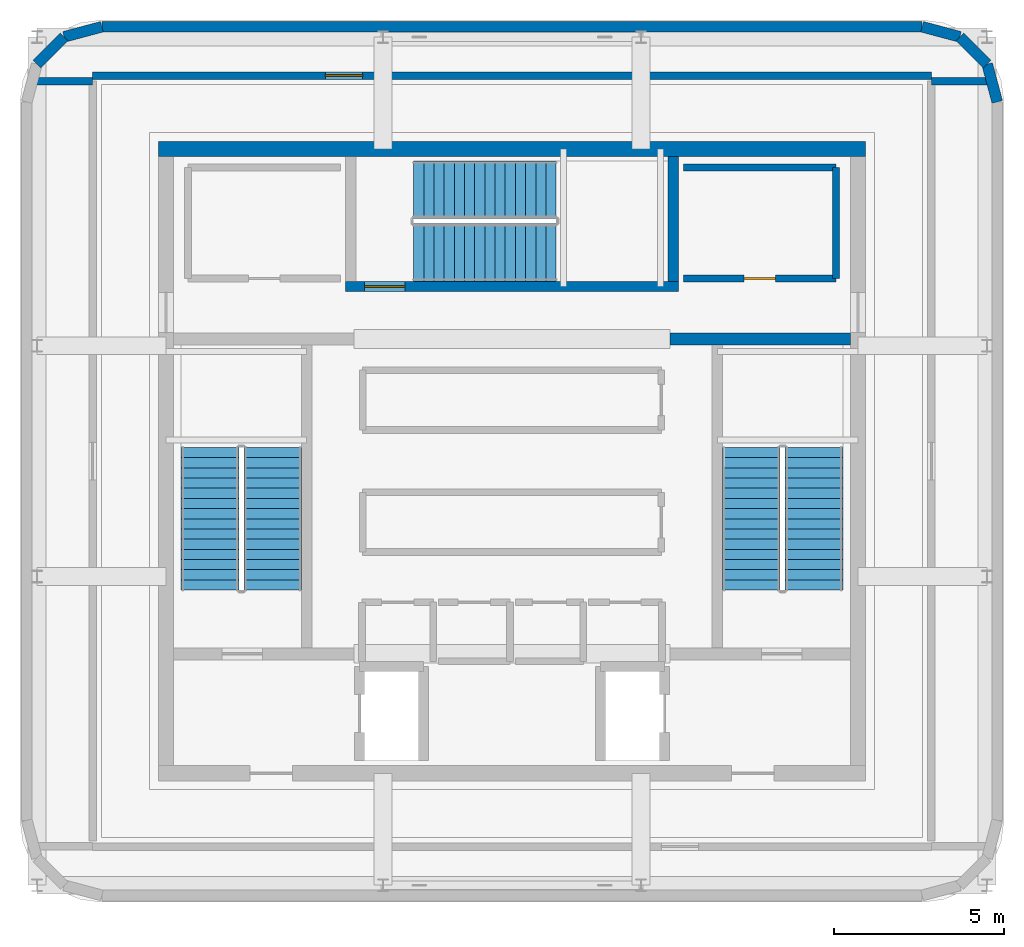
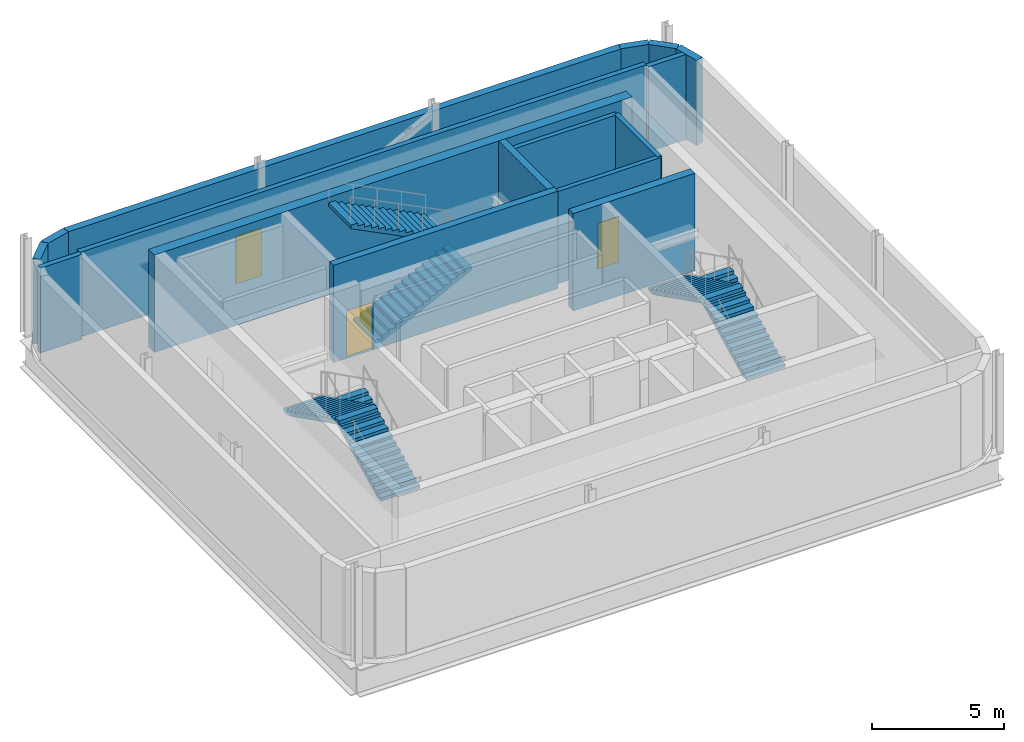
# One storey, part 3 of 4: 16 walls, 6 stair flights, 3 doors, 3 openings, 3 elements without a shape of their own.
"""IFC4 building model written with IfcOpenShell, lengths in metres."""

import ifcopenshell
import ifcopenshell.guid

model = None  # the IFC model being written
_history = None  # IfcOwnerHistory: only IFC2X3 demands one
_inside = {}  # id of a spatial element -> (the spatial element, [elements in it])
_under = {}  # id of a project, library or spatial element -> (it, [spatial elements below it])
_declared = {}  # id of a project -> (the project, [libraries it declares])
_typed = {}  # id of a type object -> (the type object, [elements of that type])
_made_of = {}  # id of a material, layer set ... -> (it, [elements and type objects made of it])


def new_model(schema):
    """Start an empty IFC model of exactly this schema.

    Asked for "IFC4X3", IfcOpenShell would pick the latest addendum, in which some entities
    have other attributes; the version numbers below select the first issue.
    IFC2X3 requires an IfcOwnerHistory on every rooted entity: one is made here for all.
    """
    global model, _history
    if schema == "IFC4X3":
        model = ifcopenshell.file(schema_version=(4, 3, 0, 0))
    else:
        model = ifcopenshell.file(schema=schema)
    _inside.clear()
    _under.clear()
    _declared.clear()
    _typed.clear()
    _made_of.clear()
    _history = None
    if model.schema == "IFC2X3":
        org = make("IfcOrganization", Name="unknown")
        user = make(
            "IfcPersonAndOrganization",
            ThePerson=make("IfcPerson", FamilyName="unknown"),
            TheOrganization=org,
        )
        app = make(
            "IfcApplication",
            ApplicationDeveloper=org,
            Version="unknown",
            ApplicationFullName="unknown",
            ApplicationIdentifier="unknown",
        )
        _history = make(
            "IfcOwnerHistory",
            OwningUser=user,
            OwningApplication=app,
            ChangeAction="ADDED",
            CreationDate=0,
        )
    return model


def make(cls, **values):
    """One entity of the class cls with the attributes given. An attribute that is None is left unset."""
    return model.create_entity(
        cls, **{name: value for name, value in values.items() if value is not None}
    )


def rooted(cls, **values):
    """An entity with a GlobalId (a new one), such as an element, a storey or a relation."""
    return make(cls, GlobalId=ifcopenshell.guid.new(), OwnerHistory=_history, **values)


def si_unit(unit_type, name, prefix=None):
    """IfcSIUnit, for example si_unit("LENGTHUNIT", "METRE", prefix="MILLI")."""
    return make("IfcSIUnit", UnitType=unit_type, Prefix=prefix, Name=name)


def assignment(units):
    """IfcUnitAssignment: the units of a project."""
    return None if units is None else make("IfcUnitAssignment", Units=units)


def point(xyz):
    """IfcCartesianPoint."""
    return None if xyz is None else make("IfcCartesianPoint", Coordinates=xyz)


def direction(xyz):
    """IfcDirection."""
    return None if xyz is None else make("IfcDirection", DirectionRatios=xyz)


def frame(location, z_axis=None, x_axis=None):
    """IfcAxis2Placement3D, a coordinate frame: its origin and axes. An axis left out is left unset."""
    return make(
        "IfcAxis2Placement3D",
        Location=point(location),
        Axis=direction(z_axis),
        RefDirection=direction(x_axis),
    )


def frame_2d(location, x_axis=None):
    """IfcAxis2Placement2D, a coordinate frame in the plane: its origin and x axis."""
    return make(
        "IfcAxis2Placement2D", Location=point(location), RefDirection=direction(x_axis)
    )


def origin():
    """The frame at (0, 0, 0) with its axes left unset."""
    return frame((0.0, 0.0, 0.0))


def place(relative_to, where):
    """IfcLocalPlacement: puts the frame where relative to a parent placement (None: the world)."""
    return make(
        "IfcLocalPlacement", PlacementRelTo=relative_to, RelativePlacement=where
    )


def context(
    kind, dimensions, precision=None, world=None, true_north=None, identifier=None
):
    """IfcGeometricRepresentationContext, for example the 3D "Model" context."""
    return make(
        "IfcGeometricRepresentationContext",
        ContextIdentifier=identifier,
        ContextType=kind,
        CoordinateSpaceDimension=dimensions,
        Precision=precision,
        WorldCoordinateSystem=world,
        TrueNorth=true_north,
    )


def subcontext(parent, identifier, kind, view, scale=None):
    """IfcGeometricRepresentationSubContext, for example "Body" below "Model"."""
    return make(
        "IfcGeometricRepresentationSubContext",
        ContextIdentifier=identifier,
        ContextType=kind,
        ParentContext=parent,
        TargetScale=scale,
        TargetView=view,
    )


def project(units=None, contexts=None):
    """IfcProject with its units and contexts."""
    return rooted(
        "IfcProject",
        Name="project",
        RepresentationContexts=contexts,
        UnitsInContext=assignment(units),
    )


def spatial(cls, under=None, at=None, **own):
    """A site, building, storey or space (cls), placed at a placement, below another one or the project."""
    s = rooted(cls, ObjectPlacement=at, **own)
    if under is not None:
        _under.setdefault(under.id(), (under, []))[1].append(s)
    return s


def polyline(points):
    """IfcPolyline through the points."""
    return make("IfcPolyline", Points=[point(p) for p in points])


def profile(cls, at=None, kind="AREA", **sizes):
    """A parametric profile (cls). Its sizes go by their IFC names, for example OverallWidth=200.0."""
    return make(cls, ProfileType=kind, Position=at, **sizes)


def rectangle(**sizes):
    """IfcRectangleProfileDef."""
    return profile("IfcRectangleProfileDef", **sizes)


def outline(outer, holes=None, kind="AREA"):
    """IfcArbitraryClosedProfileDef: a profile drawn as a closed curve; with holes, ...WithVoids."""
    if holes is None:
        return make("IfcArbitraryClosedProfileDef", ProfileType=kind, OuterCurve=outer)
    return make(
        "IfcArbitraryProfileDefWithVoids",
        ProfileType=kind,
        OuterCurve=outer,
        InnerCurves=holes,
    )


def extrude(swept, where, along, depth):
    """IfcExtrudedAreaSolid: the profile swept, set in the frame where, extruded along a direction by depth."""
    return make(
        "IfcExtrudedAreaSolid",
        SweptArea=swept,
        Position=where,
        ExtrudedDirection=direction(along),
        Depth=depth,
    )


def shape(context_of_items, identifier, shape_type, items):
    """IfcShapeRepresentation: the items that make up one representation, for example the "Body"."""
    return make(
        "IfcShapeRepresentation",
        ContextOfItems=context_of_items,
        RepresentationIdentifier=identifier,
        RepresentationType=shape_type,
        Items=items,
    )


def material(Name=None, Category=None):
    """IfcMaterial."""
    return make("IfcMaterial", Name=Name, Category=Category)


def layer(
    of_material, thickness, ventilated=None, Name=None, Category=None, Priority=None
):
    """IfcMaterialLayer: one layer of a wall or slab, of a material (None: an air gap)."""
    return make(
        "IfcMaterialLayer",
        Material=of_material,
        LayerThickness=thickness,
        IsVentilated=ventilated,
        Name=Name,
        Category=Category,
        Priority=Priority,
    )


def layer_set(layers, Name=None):
    """IfcMaterialLayerSet."""
    return make("IfcMaterialLayerSet", MaterialLayers=layers, LayerSetName=Name)


def made_of(thing, what):
    """Note that an element or type object is made of a material, layer set ...; save() writes the relation."""
    if what is not None:
        _made_of.setdefault(what.id(), (what, []))[1].append(thing)
    return thing


def type_object(cls, material=None, **own):
    """A type object (cls), such as IfcWallType, which elements share."""
    return made_of(rooted(cls, **own), material)


def element(
    cls,
    number,
    at=None,
    inside=None,
    cuts=None,
    type_object=None,
    material=None,
    context=None,
    identifier="Body",
    shape_type=None,
    held_by="IfcProductDefinitionShape",
    body=None,
    shapes=None,
    **own,
):
    """One element of the class cls, such as IfcWall. Its Tag is "e" and its number.

    at: its placement. inside: the storey or other place that contains it. cuts: it is an
    opening in that element (IfcRelVoidsElement). A single representation is given by context,
    identifier, shape_type and body (its items); several are given by shapes. held_by: the class
    of the entity that holds the representations. save() writes the other relations.
    """
    e = rooted(cls, Tag="e%d" % number, ObjectPlacement=at, **own)
    if body is not None:
        shapes = [shape(context, identifier, shape_type, body)]
    if shapes is not None:
        e.Representation = make(held_by, Representations=shapes)
    if inside is not None:
        _inside.setdefault(inside.id(), (inside, []))[1].append(e)
    if cuts is not None:
        rooted(
            "IfcRelVoidsElement", RelatingBuildingElement=cuts, RelatedOpeningElement=e
        )
    if type_object is not None:
        _typed.setdefault(type_object.id(), (type_object, []))[1].append(e)
    return made_of(e, material)


def fill(opening, filler):
    """IfcRelFillsElement: the door or window that sits in an opening."""
    return rooted(
        "IfcRelFillsElement",
        RelatingOpeningElement=opening,
        RelatedBuildingElement=filler,
    )


def aggregate(whole, parts):
    """IfcRelAggregates: a whole, such as a stair, and the parts it consists of."""
    return rooted("IfcRelAggregates", RelatingObject=whole, RelatedObjects=parts)


def save(model, path):
    """Write the relations noted so far, then the file.

    IfcRelAggregates (storeys below a building ...), IfcRelContainedInSpatialStructure (elements
    in a storey), IfcRelDefinesByType, IfcRelAssociatesMaterial and IfcRelDeclares: one each for
    every whole, place, type object, material and project.
    """
    for whole, parts in _under.values():
        aggregate(whole, parts)
    for where, things in _inside.values():
        rooted(
            "IfcRelContainedInSpatialStructure",
            RelatedElements=things,
            RelatingStructure=where,
        )
    for kind, things in _typed.values():
        rooted("IfcRelDefinesByType", RelatedObjects=things, RelatingType=kind)
    for what, things in _made_of.values():
        rooted("IfcRelAssociatesMaterial", RelatedObjects=things, RelatingMaterial=what)
    for by, libraries in _declared.values():
        rooted("IfcRelDeclares", RelatingContext=by, RelatedDefinitions=libraries)
    model.write(path)


model = new_model("IFC4")

# Units and contexts
model_context = context("Model", 3, precision=1e-05, world=origin(), true_north=direction((0.0, 1.0)))
body_context = subcontext(model_context, "Body", "Model", "MODEL_VIEW")
ifc_project = project(units=[si_unit("LENGTHUNIT", "METRE"), si_unit("AREAUNIT", "SQUARE_METRE"), si_unit("VOLUMEUNIT", "CUBIC_METRE"), si_unit("PLANEANGLEUNIT", "RADIAN"), si_unit("MASSUNIT", "GRAM", prefix="KILO")], contexts=[model_context])

# Site, building, storey
site_placement = place(None, origin())
site = spatial("IfcSite", under=ifc_project, at=site_placement, CompositionType="ELEMENT")
building_placement = place(site_placement, origin())
building = spatial("IfcBuilding", under=site, at=building_placement, Name="Punatoya Terracotta Tower", CompositionType="ELEMENT")
storey_placement = place(building_placement, frame((0.0, 0.0, 366.300048828125)))
storey = spatial("IfcBuildingStorey", under=building, at=storey_placement, Name="L86", CompositionType="ELEMENT", Elevation=366.300048828125)

# Walls
ifc_material_1 = material(Name="Concrete C50/60", Category="concrete")
ifc_layer_1 = layer(ifc_material_1, 0.449951171875)
ifc_layer_set_1 = layer_set([ifc_layer_1], Name="Concrete C50/60")
wall_type_1 = type_object("IfcWallType", Name="WL-COR-450", PredefinedType="SHEAR", material=ifc_layer_set_1)
wall_1_placement = place(storey_placement, frame((-10.425048828125, 9.199951171875, 0.0), z_axis=(0.0, 0.0, 1.0), x_axis=(1.0, 0.0, 0.0)))
element("IfcWall", 1, at=wall_1_placement, inside=storey, type_object=wall_type_1, Name="L86 Core Shear Wall N", PredefinedType="SHEAR", context=body_context, shape_type="SweptSolid", body=[
    extrude(rectangle(XDim=20.85009765625, YDim=0.449951171875, at=frame_2d((10.425048828125, 0.0))), origin(), (0.0, 0.0, 1.0), 4.5),
])
ifc_material_2 = material(Name="Precast concrete C40/50", Category="concrete")
ifc_layer_2 = layer(ifc_material_2, 0.320068359375)
ifc_layer_set_2 = layer_set([ifc_layer_2], Name="Precast concrete C40/50")
wall_type_2 = type_object("IfcWallType", Name="WL-EXT-320", PredefinedType="SOLIDWALL", material=ifc_layer_set_2)
wall_2_placement = place(storey_placement, frame((14.300048828125, 10.5869140625, 0.0), z_axis=(0.0, 0.0, 1.0), x_axis=(-0.25727979053, 0.966336954372, 0.0)))
element("IfcWall", 2, at=wall_2_placement, inside=storey, type_object=wall_type_2, Name="L86 Rounded Terracotta Corner Pier 06", PredefinedType="SOLIDWALL", context=body_context, shape_type="SweptSolid", body=[
    extrude(rectangle(XDim=1.151123046875, YDim=0.320068359375, at=frame_2d((0.57568359375, 0.0))), origin(), (0.0, 0.0, 1.0), 3.924072265625),
])
wall_3_placement = place(storey_placement, frame((14.00390625, 11.69921875, 0.0), z_axis=(0.0, 0.0, 1.0), x_axis=(-0.707106781187, 0.707106781187, 0.0)))
element("IfcWall", 3, at=wall_3_placement, inside=storey, type_object=wall_type_2, Name="L86 Rounded Terracotta Corner Pier 07", PredefinedType="SOLIDWALL", context=body_context, shape_type="SweptSolid", body=[
    extrude(rectangle(XDim=1.137939453125, YDim=0.320068359375, at=frame_2d((0.56884765625, 0.0))), origin(), (0.0, 0.0, 1.0), 3.924072265625),
])
wall_4_placement = place(storey_placement, frame((13.19921875, 12.50390625, 0.0), z_axis=(0.0, 0.0, 1.0), x_axis=(-0.966336954372, 0.25727979053, 0.0)))
element("IfcWall", 4, at=wall_4_placement, inside=storey, type_object=wall_type_2, Name="L86 Rounded Terracotta Corner Pier 08", PredefinedType="SOLIDWALL", context=body_context, shape_type="SweptSolid", body=[
    extrude(rectangle(XDim=1.151123046875, YDim=0.320068359375, at=frame_2d((0.57568359375, 0.0))), origin(), (0.0, 0.0, 1.0), 3.924072265625),
])
wall_5_placement = place(storey_placement, frame((12.0869140625, 12.800048828125, 0.0), z_axis=(0.0, 0.0, 1.0), x_axis=(-1.0, 0.0, 0.0)))
element("IfcWall", 5, at=wall_5_placement, inside=storey, type_object=wall_type_2, Name="L86 Terracotta Louvre Plant Enclosure N", PredefinedType="SOLIDWALL", context=body_context, shape_type="SweptSolid", body=[
    extrude(rectangle(XDim=24.173828125, YDim=0.320068359375, at=frame_2d((12.0869140625, 0.0))), origin(), (0.0, 0.0, 1.0), 3.924072265625),
])
wall_6_placement = place(storey_placement, frame((-12.0869140625, 12.800048828125, 0.0), z_axis=(0.0, 0.0, 1.0), x_axis=(-0.966336954372, -0.25727979053, 0.0)))
element("IfcWall", 6, at=wall_6_placement, inside=storey, type_object=wall_type_2, Name="L86 Rounded Terracotta Corner Pier 10", PredefinedType="SOLIDWALL", context=body_context, shape_type="SweptSolid", body=[
    extrude(rectangle(XDim=1.151123046875, YDim=0.320068359375, at=frame_2d((0.57568359375, 0.0))), origin(), (0.0, 0.0, 1.0), 3.924072265625),
])
wall_7_placement = place(storey_placement, frame((-13.19921875, 12.50390625, 0.0), z_axis=(0.0, 0.0, 1.0), x_axis=(-0.707106781187, -0.707106781187, 0.0)))
element("IfcWall", 7, at=wall_7_placement, inside=storey, type_object=wall_type_2, Name="L86 Rounded Terracotta Corner Pier 11", PredefinedType="SOLIDWALL", context=body_context, shape_type="SweptSolid", body=[
    extrude(rectangle(XDim=1.137939453125, YDim=0.320068359375, at=frame_2d((0.56884765625, 0.0))), origin(), (0.0, 0.0, 1.0), 3.924072265625),
])
ifc_material_3 = material(Name="Concrete C40/50", Category="concrete")
ifc_layer_3 = layer(ifc_material_3, 0.219970703125)
ifc_layer_set_3 = layer_set([ifc_layer_3], Name="Concrete C40/50")
wall_type_3 = type_object("IfcWallType", Name="WL-FIR-220", PredefinedType="SOLIDWALL", material=ifc_layer_set_3)
for number, where, z_axis, x_axis, name in (
    (8, (-14.18896484375, 11.199951171875, 0.0), (0.0, 0.0, 1.0), (1.0, 0.0, 0.0), "L86 Crown West Smoke-Extract and Fan Plant Room Partition 29"),
    (9, (12.360107421875, 11.199951171875, 0.0), (0.0, 0.0, 1.0), (1.0, 0.0, 0.0), "L86 Crown East Lift Machine and BMS Control Plant Partition 32"),
):
    element("IfcWall", number, at=place(storey_placement, frame(where, z_axis=z_axis, x_axis=x_axis)), inside=storey, type_object=wall_type_3, Name=name, PredefinedType="SOLIDWALL", context=body_context, shape_type="SweptSolid", body=[
        extrude(rectangle(XDim=1.828857421875, YDim=0.219970703125, at=frame_2d((0.91455078125, 0.0))), origin(), (0.0, 0.0, 1.0), 3.924072265625),
    ])

# Wall, opening, door
wall_8_placement = place(storey_placement, frame((12.360107421875, 11.360107421875, 0.0), z_axis=(0.0, 0.0, 1.0), x_axis=(-1.0, 0.0, 0.0)))
wall_8 = element("IfcWall", 10, at=wall_8_placement, inside=storey, type_object=wall_type_3, Name="L86 Crown North Standby Power and Booster Pump Plant Partition 33", PredefinedType="SOLIDWALL", context=body_context, shape_type="SweptSolid", body=[
    extrude(rectangle(XDim=24.72021484375, YDim=0.219970703125, at=frame_2d((12.360107421875, 0.0))), origin(), (0.0, 0.0, 1.0), 3.924072265625),
])
opening_1_placement = place(wall_8_placement, frame((16.760009765625, 0.0, 0.0)))
opening_1 = element("IfcOpeningElement", 11, at=opening_1_placement, cuts=wall_8, Name="Opening FD-P1", PredefinedType="OPENING", context=body_context, shape_type="SweptSolid", body=[
    extrude(rectangle(XDim=1.10009765625, YDim=2.199951171875, at=frame_2d((0.550048828125, 1.10009765625))), frame((0.0, 0.119873046875, 0.0), z_axis=(0.0, -1.0, 0.0), x_axis=(1.0, 0.0, 0.0)), (0.0, 0.0, 1.0), 0.239990234375),
])
ifc_material_4 = material(Name="Galvanised Steel Plant Fire Door", Category="steel")
door_type_1 = type_object("IfcDoorType", Name="DR-PLT-1100", OperationType="NOTDEFINED", PredefinedType="DOOR", material=ifc_material_4)
door_1_placement = place(opening_1_placement, origin())
door_1 = element("IfcDoor", 12, at=door_1_placement, inside=storey, type_object=door_type_1, Name="L86 Crown North Standby Power and Booster Pump Plant Fire Door", OperationType="SINGLE_SWING_RIGHT", OverallHeight=2.199951171875, OverallWidth=1.10009765625, PredefinedType="DOOR", context=body_context, shape_type="SweptSolid", body=[
    extrude(rectangle(XDim=1.10009765625, YDim=2.199951171875, at=frame_2d((0.550048828125, 1.10009765625))), frame((0.0, 0.02490234375, 0.0), z_axis=(0.0, -1.0, 0.0), x_axis=(1.0, 0.0, 0.0)), (0.0, 0.0, 1.0), 0.050048828125),
])
fill(opening_1, door_1)

# Walls
ifc_layer_4 = layer(ifc_material_3, 0.199951171875)
ifc_layer_set_4 = layer_set([ifc_layer_4], Name="Concrete C40/50")
wall_type_4 = type_object("IfcWallType", Name="WL-INT-200", PredefinedType="SOLIDWALL", material=ifc_layer_set_4)
wall_9_placement = place(storey_placement, frame((9.550048828125, 5.3798828125, 0.0), z_axis=(0.0, 0.0, 1.0), x_axis=(0.0, 1.0, 0.0)))
element("IfcWall", 13, at=wall_9_placement, inside=storey, type_object=wall_type_4, Name="L86 East Duct Riser Partition 23", PredefinedType="SOLIDWALL", context=body_context, shape_type="SweptSolid", body=[
    extrude(rectangle(XDim=3.27001953125, YDim=0.199951171875, at=frame_2d((1.635009765625, 0.0))), origin(), (0.0, 0.0, 1.0), 4.25),
])
wall_10_placement = place(storey_placement, frame((9.550048828125, 8.64990234375, 0.0), z_axis=(0.0, 0.0, 1.0), x_axis=(-1.0, 0.0, 0.0)))
element("IfcWall", 14, at=wall_10_placement, inside=storey, type_object=wall_type_4, Name="L86 East Duct Riser Partition 24", PredefinedType="SOLIDWALL", context=body_context, shape_type="SweptSolid", body=[
    extrude(rectangle(XDim=4.5, YDim=0.199951171875, at=frame_2d((2.25, 0.0))), origin(), (0.0, 0.0, 1.0), 4.25),
])

# Wall, opening, door
wall_11_placement = place(storey_placement, frame((5.050048828125, 5.3798828125, 0.0), z_axis=(0.0, 0.0, 1.0), x_axis=(1.0, 0.0, 0.0)))
wall_11 = element("IfcWall", 15, at=wall_11_placement, inside=storey, type_object=wall_type_4, Name="L86 East Duct Riser Partition 25", PredefinedType="SOLIDWALL", context=body_context, shape_type="SweptSolid", body=[
    extrude(rectangle(XDim=4.5, YDim=0.199951171875, at=frame_2d((2.25, 0.0))), origin(), (0.0, 0.0, 1.0), 4.25),
])
opening_2_placement = place(wall_11_placement, frame((1.7900390625, 0.0, 0.0)))
opening_2 = element("IfcOpeningElement", 16, at=opening_2_placement, cuts=wall_11, Name="Opening FD-R1", PredefinedType="OPENING", context=body_context, shape_type="SweptSolid", body=[
    extrude(rectangle(XDim=0.919921875, YDim=2.10009765625, at=frame_2d((0.4599609375, 1.050048828125))), frame((0.0, 0.10986328125, 0.0), z_axis=(0.0, -1.0, 0.0), x_axis=(1.0, 0.0, 0.0)), (0.0, 0.0, 1.0), 0.219970703125),
])
ifc_material_5 = material(Name="Galvanised Steel Riser Fire Access Door", Category="steel")
door_type_2 = type_object("IfcDoorType", Name="DR-RSR-920", OperationType="NOTDEFINED", PredefinedType="DOOR", material=ifc_material_5)
door_2_placement = place(opening_2_placement, origin())
door_2 = element("IfcDoor", 17, at=door_2_placement, inside=storey, type_object=door_type_2, Name="L86 East Duct Riser Fire Door", OperationType="SINGLE_SWING_RIGHT", OverallHeight=2.10009765625, OverallWidth=0.919921875, PredefinedType="DOOR", context=body_context, shape_type="SweptSolid", body=[
    extrude(rectangle(XDim=0.919921875, YDim=2.10009765625, at=frame_2d((0.4599609375, 1.050048828125))), frame((0.0, 0.02490234375, 0.0), z_axis=(0.0, -1.0, 0.0), x_axis=(1.0, 0.0, 0.0)), (0.0, 0.0, 1.0), 0.050048828125),
])
fill(opening_2, door_2)

# Wall
ifc_layer_5 = layer(ifc_material_3, 0.300048828125)
ifc_layer_set_5 = layer_set([ifc_layer_5], Name="Concrete C40/50")
wall_type_5 = type_object("IfcWallType", Name="WL-SHF-300", PredefinedType="SOLIDWALL", material=ifc_layer_set_5)
wall_12_placement = place(storey_placement, frame((4.75, 8.97509765625, 0.0), z_axis=(0.0, 0.0, 1.0), x_axis=(0.0, -1.0, 0.0)))
element("IfcWall", 18, at=wall_12_placement, inside=storey, type_object=wall_type_5, Name="L86 Structural Stair Shaft Wall SW-ST3-E", PredefinedType="SOLIDWALL", context=body_context, shape_type="SweptSolid", body=[
    extrude(rectangle(XDim=3.675048828125, YDim=0.300048828125, at=frame_2d((1.83740234375, 0.0))), origin(), (0.0, 0.0, 1.0), 4.5),
])

# Wall, opening, door
wall_13_placement = place(storey_placement, frame((-4.89990234375, 5.14990234375, 0.0), z_axis=(0.0, 0.0, 1.0), x_axis=(1.0, 0.0, 0.0)))
wall_13 = element("IfcWall", 19, at=wall_13_placement, inside=storey, type_object=wall_type_5, Name="L86 Structural Stair Shaft Wall SW-ST3-S", PredefinedType="SOLIDWALL", context=body_context, shape_type="SweptSolid", body=[
    extrude(rectangle(XDim=9.7998046875, YDim=0.300048828125, at=frame_2d((4.89990234375, 0.0))), origin(), (0.0, 0.0, 1.0), 4.5),
])
opening_3_placement = place(wall_13_placement, frame((0.56005859375, 0.0, 0.0)))
opening_3 = element("IfcOpeningElement", 20, at=opening_3_placement, cuts=wall_13, Name="Opening SD-01", PredefinedType="OPENING", context=body_context, shape_type="SweptSolid", body=[
    extrude(rectangle(XDim=1.179931640625, YDim=2.199951171875, at=frame_2d((0.58984375, 1.10009765625))), frame((0.0, 0.159912109375, 0.0), z_axis=(0.0, -1.0, 0.0), x_axis=(1.0, 0.0, 0.0)), (0.0, 0.0, 1.0), 0.320068359375),
])
ifc_material_6 = material(Name="Galvanised Steel Pressurized Stair Fire Door", Category="steel")
door_type_3 = type_object("IfcDoorType", Name="DR-STR-1180", OperationType="NOTDEFINED", PredefinedType="DOOR", material=ifc_material_6)
door_3_placement = place(opening_3_placement, origin())
door_3 = element("IfcDoor", 21, at=door_3_placement, inside=storey, type_object=door_type_3, Name="L86 Stair ST-3 Core Lobby Fire Door", OperationType="SINGLE_SWING_LEFT", OverallHeight=2.199951171875, OverallWidth=1.179931640625, PredefinedType="DOOR", context=body_context, shape_type="SweptSolid", body=[
    extrude(rectangle(XDim=1.179931640625, YDim=2.199951171875, at=frame_2d((0.58984375, 1.10009765625))), frame((0.0, 0.02490234375, 0.0), z_axis=(0.0, -1.0, 0.0), x_axis=(1.0, 0.0, 0.0)), (0.0, 0.0, 1.0), 0.050048828125),
])
fill(opening_3, door_3)

# Wall
ifc_layer_6 = layer(ifc_material_1, 0.35009765625)
ifc_layer_set_6 = layer_set([ifc_layer_6], Name="Concrete C50/60")
wall_type_6 = type_object("IfcWallType", Name="WL-SHF-350", PredefinedType="SOLIDWALL", material=ifc_layer_set_6)
wall_14_placement = place(storey_placement, frame((4.64990234375, 3.60009765625, 0.0), z_axis=(0.0, 0.0, 1.0), x_axis=(1.0, 0.0, 0.0)))
element("IfcWall", 22, at=wall_14_placement, inside=storey, type_object=wall_type_6, Name="L86 Core Web Wall CNW-R", PredefinedType="SOLIDWALL", context=body_context, shape_type="SweptSolid", body=[
    extrude(rectangle(XDim=5.3251953125, YDim=0.35009765625, at=frame_2d((2.66259765625, 0.0))), origin(), (0.0, 0.0, 1.0), 4.5),
])

# Stair, stair flights
stair_type_1 = type_object("IfcStairType", Name="STR-CORE-1550", PredefinedType="HALF_TURN_STAIR", material=ifc_material_3)
stair_1_placement = place(storey_placement, origin())
stair_1 = element("IfcStair", 23, at=stair_1_placement, inside=storey, type_object=stair_type_1, Name="L86 Protected Core Exit Stair ST-1", PredefinedType="HALF_TURN_STAIR")
stair_flight_type_1 = type_object("IfcStairFlightType", Name="SFL-CORE-1550", PredefinedType="STRAIGHT", material=ifc_material_3)
stair_flight_1_placement = place(storey_placement, frame((-7.050048828125, -3.800048828125, 0.0), z_axis=(0.0, 0.0, 1.0), x_axis=(0.0, 1.0, 0.0)))
stair_flight_1 = element("IfcStairFlight", 24, at=stair_flight_1_placement, type_object=stair_flight_type_1, Name="ST-1 flight 1", NumberOfRisers=15, NumberOfTreads=14, PredefinedType="STRAIGHT", RiserHeight=0.15, TreadLength=0.3, context=body_context, shape_type="SweptSolid", body=[
    extrude(outline(polyline([(0.0, 0.0), (0.0, 0.14990234375), (0.300048828125, 0.14990234375), (0.300048828125, 0.300048828125), (0.60009765625, 0.300048828125), (0.60009765625, 0.449951171875), (0.89990234375, 0.449951171875), (0.89990234375, 0.60009765625), (1.199951171875, 0.60009765625), (1.199951171875, 0.75), (1.5, 0.75), (1.5, 0.89990234375), (1.800048828125, 0.89990234375), (1.800048828125, 1.050048828125), (2.10009765625, 1.050048828125), (2.10009765625, 1.199951171875), (2.39990234375, 1.199951171875), (2.39990234375, 1.35009765625), (2.699951171875, 1.35009765625), (2.699951171875, 1.5), (3.0, 1.5), (3.0, 1.64990234375), (3.300048828125, 1.64990234375), (3.300048828125, 1.800048828125), (3.60009765625, 1.800048828125), (3.60009765625, 1.949951171875), (3.89990234375, 1.949951171875), (3.89990234375, 2.10009765625), (4.199951171875, 2.10009765625), (4.199951171875, 2.25), (4.199951171875, 1.932373046875), (0.335205078125, 0.0), (0.0, 0.0)])), frame((0.0, 0.85009765625, 0.0), z_axis=(0.0, -1.0, 0.0), x_axis=(1.0, 0.0, 0.0)), (0.0, 0.0, 1.0), 1.699951171875),
])
stair_flight_2_placement = place(storey_placement, frame((-8.89990234375, 0.39990234375, 2.25), z_axis=(0.0, 0.0, 1.0), x_axis=(0.0, -1.0, 0.0)))
stair_flight_2 = element("IfcStairFlight", 25, at=stair_flight_2_placement, type_object=stair_flight_type_1, Name="ST-1 flight 2", NumberOfRisers=15, NumberOfTreads=14, PredefinedType="STRAIGHT", RiserHeight=0.15, TreadLength=0.3, context=body_context, shape_type="SweptSolid", body=[
    extrude(outline(polyline([(0.0, 0.0), (0.0, 0.14990234375), (0.300048828125, 0.14990234375), (0.300048828125, 0.300048828125), (0.60009765625, 0.300048828125), (0.60009765625, 0.449951171875), (0.89990234375, 0.449951171875), (0.89990234375, 0.60009765625), (1.199951171875, 0.60009765625), (1.199951171875, 0.75), (1.5, 0.75), (1.5, 0.89990234375), (1.800048828125, 0.89990234375), (1.800048828125, 1.050048828125), (2.10009765625, 1.050048828125), (2.10009765625, 1.199951171875), (2.39990234375, 1.199951171875), (2.39990234375, 1.35009765625), (2.699951171875, 1.35009765625), (2.699951171875, 1.5), (3.0, 1.5), (3.0, 1.64990234375), (3.300048828125, 1.64990234375), (3.300048828125, 1.800048828125), (3.60009765625, 1.800048828125), (3.60009765625, 1.949951171875), (3.89990234375, 1.949951171875), (3.89990234375, 2.10009765625), (4.199951171875, 2.10009765625), (4.199951171875, 2.25), (4.199951171875, 1.932373046875), (0.335205078125, 0.0), (0.0, 0.0)])), frame((0.0, 0.85009765625, 0.0), z_axis=(0.0, -1.0, 0.0), x_axis=(1.0, 0.0, 0.0)), (0.0, 0.0, 1.0), 1.699951171875),
])
aggregate(stair_1, [stair_flight_1, stair_flight_2])

stair_type_2 = type_object("IfcStairType", Name="STR-LOB-1650", PredefinedType="HALF_TURN_STAIR", material=ifc_material_3)
stair_2_placement = place(storey_placement, origin())
stair_2 = element("IfcStair", 26, at=stair_2_placement, inside=storey, type_object=stair_type_2, Name="L86 Protected Core Exit Stair ST-2", PredefinedType="HALF_TURN_STAIR")
stair_flight_type_2 = type_object("IfcStairFlightType", Name="SFL-LOB-1650", PredefinedType="STRAIGHT", material=ifc_material_3)
stair_flight_3_placement = place(storey_placement, frame((8.89990234375, -3.800048828125, 0.0), z_axis=(0.0, 0.0, 1.0), x_axis=(0.0, 1.0, 0.0)))
stair_flight_3 = element("IfcStairFlight", 27, at=stair_flight_3_placement, type_object=stair_flight_type_2, Name="ST-2 flight 1", NumberOfRisers=15, NumberOfTreads=14, PredefinedType="STRAIGHT", RiserHeight=0.15, TreadLength=0.3, context=body_context, shape_type="SweptSolid", body=[
    extrude(outline(polyline([(0.0, 0.0), (0.0, 0.14990234375), (0.300048828125, 0.14990234375), (0.300048828125, 0.300048828125), (0.60009765625, 0.300048828125), (0.60009765625, 0.449951171875), (0.89990234375, 0.449951171875), (0.89990234375, 0.60009765625), (1.199951171875, 0.60009765625), (1.199951171875, 0.75), (1.5, 0.75), (1.5, 0.89990234375), (1.800048828125, 0.89990234375), (1.800048828125, 1.050048828125), (2.10009765625, 1.050048828125), (2.10009765625, 1.199951171875), (2.39990234375, 1.199951171875), (2.39990234375, 1.35009765625), (2.699951171875, 1.35009765625), (2.699951171875, 1.5), (3.0, 1.5), (3.0, 1.64990234375), (3.300048828125, 1.64990234375), (3.300048828125, 1.800048828125), (3.60009765625, 1.800048828125), (3.60009765625, 1.949951171875), (3.89990234375, 1.949951171875), (3.89990234375, 2.10009765625), (4.199951171875, 2.10009765625), (4.199951171875, 2.25), (4.199951171875, 1.932373046875), (0.335205078125, 0.0), (0.0, 0.0)])), frame((0.0, 0.85009765625, 0.0), z_axis=(0.0, -1.0, 0.0), x_axis=(1.0, 0.0, 0.0)), (0.0, 0.0, 1.0), 1.699951171875),
])
stair_flight_4_placement = place(storey_placement, frame((7.050048828125, 0.39990234375, 2.25), z_axis=(0.0, 0.0, 1.0), x_axis=(0.0, -1.0, 0.0)))
stair_flight_4 = element("IfcStairFlight", 28, at=stair_flight_4_placement, type_object=stair_flight_type_2, Name="ST-2 flight 2", NumberOfRisers=15, NumberOfTreads=14, PredefinedType="STRAIGHT", RiserHeight=0.15, TreadLength=0.3, context=body_context, shape_type="SweptSolid", body=[
    extrude(outline(polyline([(0.0, 0.0), (0.0, 0.14990234375), (0.300048828125, 0.14990234375), (0.300048828125, 0.300048828125), (0.60009765625, 0.300048828125), (0.60009765625, 0.449951171875), (0.89990234375, 0.449951171875), (0.89990234375, 0.60009765625), (1.199951171875, 0.60009765625), (1.199951171875, 0.75), (1.5, 0.75), (1.5, 0.89990234375), (1.800048828125, 0.89990234375), (1.800048828125, 1.050048828125), (2.10009765625, 1.050048828125), (2.10009765625, 1.199951171875), (2.39990234375, 1.199951171875), (2.39990234375, 1.35009765625), (2.699951171875, 1.35009765625), (2.699951171875, 1.5), (3.0, 1.5), (3.0, 1.64990234375), (3.300048828125, 1.64990234375), (3.300048828125, 1.800048828125), (3.60009765625, 1.800048828125), (3.60009765625, 1.949951171875), (3.89990234375, 1.949951171875), (3.89990234375, 2.10009765625), (4.199951171875, 2.10009765625), (4.199951171875, 2.25), (4.199951171875, 1.932373046875), (0.335205078125, 0.0), (0.0, 0.0)])), frame((0.0, 0.85009765625, 0.0), z_axis=(0.0, -1.0, 0.0), x_axis=(1.0, 0.0, 0.0)), (0.0, 0.0, 1.0), 1.699951171875),
])
aggregate(stair_2, [stair_flight_3, stair_flight_4])

stair_type_3 = type_object("IfcStairType", Name="STR-TER-1450", PredefinedType="HALF_TURN_STAIR", material=ifc_material_3)
stair_3_placement = place(storey_placement, origin())
stair_3 = element("IfcStair", 29, at=stair_3_placement, inside=storey, type_object=stair_type_3, Name="L86 Protected Core Exit Stair ST-3", PredefinedType="HALF_TURN_STAIR")
stair_flight_type_3 = type_object("IfcStairFlightType", Name="SFL-TER-1450", PredefinedType="STRAIGHT", material=ifc_material_3)
stair_flight_5_placement = place(storey_placement, frame((-2.89990234375, 6.14990234375, 0.0), z_axis=(0.0, 0.0, 1.0), x_axis=(1.0, 0.0, 0.0)))
stair_flight_5 = element("IfcStairFlight", 30, at=stair_flight_5_placement, type_object=stair_flight_type_3, Name="ST-3 flight 1", NumberOfRisers=15, NumberOfTreads=14, PredefinedType="STRAIGHT", RiserHeight=0.15, TreadLength=0.3, context=body_context, shape_type="SweptSolid", body=[
    extrude(outline(polyline([(0.0, 0.0), (0.0, 0.14990234375), (0.300048828125, 0.14990234375), (0.300048828125, 0.300048828125), (0.60009765625, 0.300048828125), (0.60009765625, 0.449951171875), (0.89990234375, 0.449951171875), (0.89990234375, 0.60009765625), (1.199951171875, 0.60009765625), (1.199951171875, 0.75), (1.5, 0.75), (1.5, 0.89990234375), (1.800048828125, 0.89990234375), (1.800048828125, 1.050048828125), (2.10009765625, 1.050048828125), (2.10009765625, 1.199951171875), (2.39990234375, 1.199951171875), (2.39990234375, 1.35009765625), (2.699951171875, 1.35009765625), (2.699951171875, 1.5), (3.0, 1.5), (3.0, 1.64990234375), (3.300048828125, 1.64990234375), (3.300048828125, 1.800048828125), (3.60009765625, 1.800048828125), (3.60009765625, 1.949951171875), (3.89990234375, 1.949951171875), (3.89990234375, 2.10009765625), (4.199951171875, 2.10009765625), (4.199951171875, 2.25), (4.199951171875, 1.932373046875), (0.335205078125, 0.0), (0.0, 0.0)])), frame((0.0, 0.85009765625, 0.0), z_axis=(0.0, -1.0, 0.0), x_axis=(1.0, 0.0, 0.0)), (0.0, 0.0, 1.0), 1.699951171875),
])
stair_flight_6_placement = place(storey_placement, frame((1.300048828125, 8.0, 2.25), z_axis=(0.0, 0.0, 1.0), x_axis=(-1.0, 0.0, 0.0)))
stair_flight_6 = element("IfcStairFlight", 31, at=stair_flight_6_placement, type_object=stair_flight_type_3, Name="ST-3 flight 2", NumberOfRisers=15, NumberOfTreads=14, PredefinedType="STRAIGHT", RiserHeight=0.15, TreadLength=0.3, context=body_context, shape_type="SweptSolid", body=[
    extrude(outline(polyline([(0.0, 0.0), (0.0, 0.14990234375), (0.300048828125, 0.14990234375), (0.300048828125, 0.300048828125), (0.60009765625, 0.300048828125), (0.60009765625, 0.449951171875), (0.89990234375, 0.449951171875), (0.89990234375, 0.60009765625), (1.199951171875, 0.60009765625), (1.199951171875, 0.75), (1.5, 0.75), (1.5, 0.89990234375), (1.800048828125, 0.89990234375), (1.800048828125, 1.050048828125), (2.10009765625, 1.050048828125), (2.10009765625, 1.199951171875), (2.39990234375, 1.199951171875), (2.39990234375, 1.35009765625), (2.699951171875, 1.35009765625), (2.699951171875, 1.5), (3.0, 1.5), (3.0, 1.64990234375), (3.300048828125, 1.64990234375), (3.300048828125, 1.800048828125), (3.60009765625, 1.800048828125), (3.60009765625, 1.949951171875), (3.89990234375, 1.949951171875), (3.89990234375, 2.10009765625), (4.199951171875, 2.10009765625), (4.199951171875, 2.25), (4.199951171875, 1.932373046875), (0.335205078125, 0.0), (0.0, 0.0)])), frame((0.0, 0.85009765625, 0.0), z_axis=(0.0, -1.0, 0.0), x_axis=(1.0, 0.0, 0.0)), (0.0, 0.0, 1.0), 1.699951171875),
])
aggregate(stair_3, [stair_flight_5, stair_flight_6])

save(model, "model.ifc")
